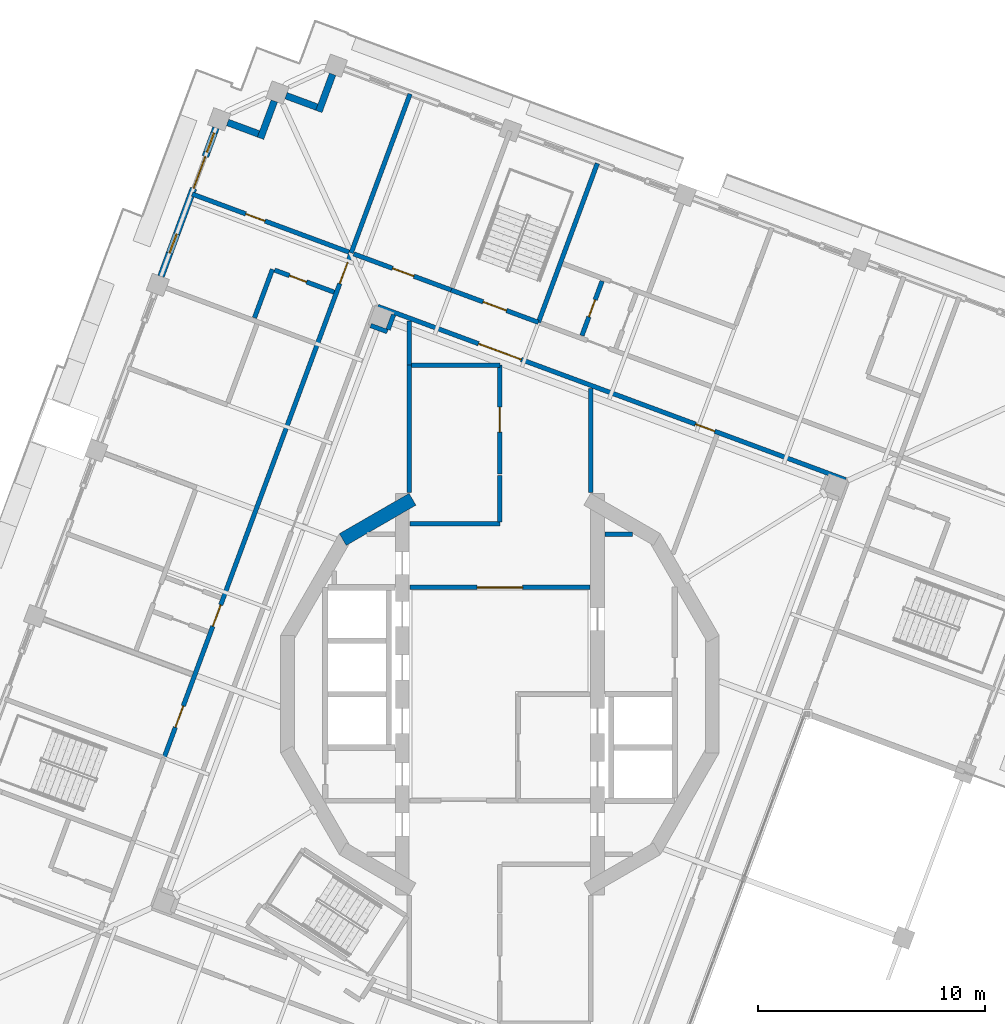
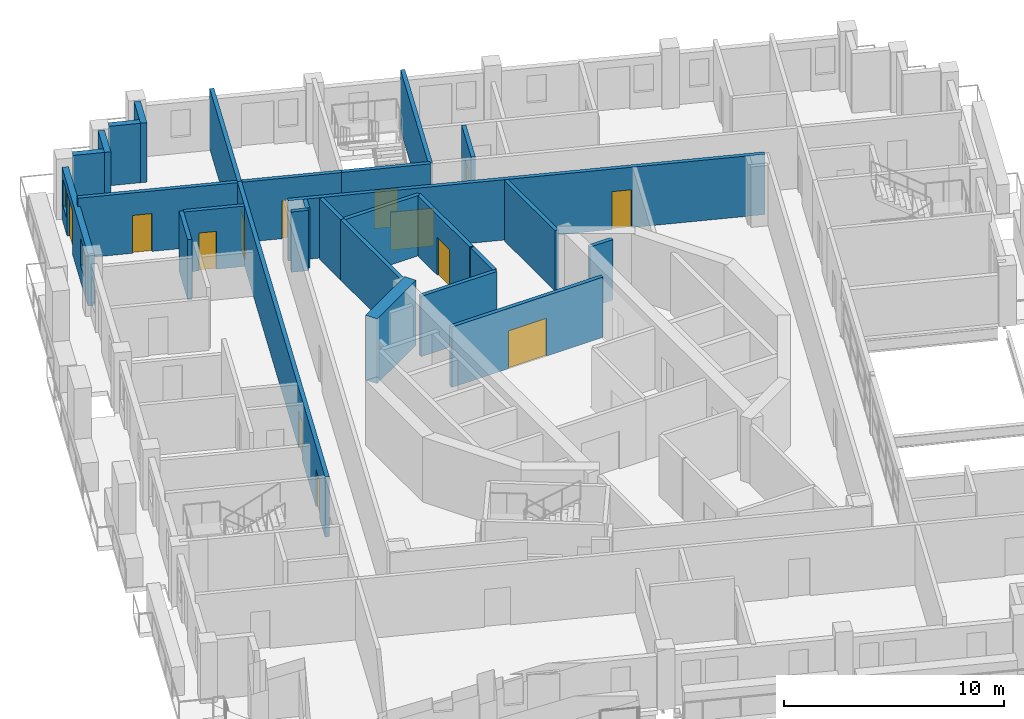
# One storey, part 9 of 19: 27 walls, 13 doors, 2 windows, 15 openings.
"""IFC4 building model written with IfcOpenShell, lengths in metres."""

from ifc_helpers import new_model, si_unit, direction, frame, frame_2d, origin, place, context, subcontext, project, spatial, rectangle, extrude, material, layer, layer_set, type_object, element, fill, save


model = new_model("IFC4")

# Units and contexts
model_context = context("Model", 3, precision=1e-05, world=origin(), true_north=direction((0.0, 1.0)))
body_context = subcontext(model_context, "Body", "Model", "MODEL_VIEW")
ifc_project = project(units=[si_unit("LENGTHUNIT", "METRE"), si_unit("AREAUNIT", "SQUARE_METRE"), si_unit("VOLUMEUNIT", "CUBIC_METRE"), si_unit("PLANEANGLEUNIT", "RADIAN"), si_unit("MASSUNIT", "GRAM", prefix="KILO")], contexts=[model_context])

# Site, building, storey
site_placement = place(None, origin())
site = spatial("IfcSite", under=ifc_project, at=site_placement, CompositionType="ELEMENT")
building_placement = place(site_placement, origin())
building = spatial("IfcBuilding", under=site, at=building_placement, Name="Cantera Rosa Tower", CompositionType="ELEMENT")
storey_placement = place(building_placement, frame((0.0, 0.0, 331.300048828125)))
storey = spatial("IfcBuildingStorey", under=building, at=storey_placement, Name="L74", CompositionType="ELEMENT", Elevation=331.300048828125)

# Wall, openings, doors
ifc_material_1 = material(Name="Gypsum board partition")
ifc_layer_1 = layer(ifc_material_1, 0.199951171875)
ifc_layer_set_1 = layer_set([ifc_layer_1], Name="CORRIDOR WALL 200 H3350")
wall_type_1 = type_object("IfcWallType", Name="CORRIDOR WALL 200 H3350", PredefinedType="PARTITIONING", material=ifc_layer_set_1)
wall_1_placement = place(storey_placement, frame((-6.5537109375, 19.438720703125, 0.0), z_axis=(0.0, 0.0, 1.0), x_axis=(-0.347483565428, -0.937686073138, 0.0)))
wall_1 = element("IfcWall", 1, at=wall_1_placement, inside=storey, type_object=wall_type_1, Name="CORRIDOR WALL L74-036", PredefinedType="PARTITIONING", context=body_context, shape_type="SweptSolid", body=[
    extrude(rectangle(XDim=23.730224609375, YDim=0.199951171875, at=frame_2d((11.865234375, 0.0))), origin(), (0.0, 0.0, 1.0), 3.349853515625),
])
opening_1_placement = place(wall_1_placement, frame((16.5400390625, 0.0, 0.0)))
opening_1 = element("IfcOpeningElement", 2, at=opening_1_placement, cuts=wall_1, Name="Opening L74-028", PredefinedType="OPENING", context=body_context, shape_type="SweptSolid", body=[
    extrude(rectangle(XDim=1.0, YDim=2.10009765625, at=frame_2d((0.5, 1.050048828125))), frame((0.0, 0.10986328125, 0.0), z_axis=(0.0, -1.0, 0.0), x_axis=(1.0, 0.0, 0.0)), (0.0, 0.0, 1.0), 0.219970703125),
])
opening_2_placement = place(wall_1_placement, frame((21.284912109375, 0.0, 0.0)))
opening_2 = element("IfcOpeningElement", 3, at=opening_2_placement, cuts=wall_1, Name="Opening L74-034", PredefinedType="OPENING", context=body_context, shape_type="SweptSolid", body=[
    extrude(rectangle(XDim=1.0, YDim=2.10009765625, at=frame_2d((0.5, 1.050048828125))), frame((0.0, 0.10986328125, 0.0), z_axis=(0.0, -1.0, 0.0), x_axis=(1.0, 0.0, 0.0)), (0.0, 0.0, 1.0), 0.219970703125),
])
opening_3_placement = place(wall_1_placement, frame((0.43994140625, 0.0, 0.0)))
opening_3 = element("IfcOpeningElement", 4, at=opening_3_placement, cuts=wall_1, Name="Opening L74-035", PredefinedType="OPENING", context=body_context, shape_type="SweptSolid", body=[
    extrude(rectangle(XDim=1.0, YDim=2.10009765625, at=frame_2d((0.5, 1.050048828125))), frame((0.0, 0.10986328125, 0.0), z_axis=(0.0, -1.0, 0.0), x_axis=(1.0, 0.0, 0.0)), (0.0, 0.0, 1.0), 0.219970703125),
])
ifc_material_2 = material(Name="Timber door leaf", Category="wood")
door_type_1 = type_object("IfcDoorType", Name="ENTRANCE DOOR 1000x2100", OperationType="NOTDEFINED", PredefinedType="DOOR", material=ifc_material_2)
door_1_placement = place(opening_1_placement, origin())
door_1 = element("IfcDoor", 5, at=door_1_placement, inside=storey, type_object=door_type_1, Name="DOOR L74-028", OperationType="NOTDEFINED", OverallHeight=2.10009765625, OverallWidth=1.0, PredefinedType="DOOR", context=body_context, shape_type="SweptSolid", body=[
    extrude(rectangle(XDim=1.0, YDim=2.10009765625, at=frame_2d((0.5, 1.050048828125))), frame((0.0, 0.02490234375, 0.0), z_axis=(0.0, -1.0, 0.0), x_axis=(1.0, 0.0, 0.0)), (0.0, 0.0, 1.0), 0.050048828125),
])
fill(opening_1, door_1)
door_2_placement = place(opening_3_placement, origin())
door_2 = element("IfcDoor", 6, at=door_2_placement, inside=storey, type_object=door_type_1, Name="DOOR L74-035", OperationType="NOTDEFINED", OverallHeight=2.10009765625, OverallWidth=1.0, PredefinedType="DOOR", context=body_context, shape_type="SweptSolid", body=[
    extrude(rectangle(XDim=1.0, YDim=2.10009765625, at=frame_2d((0.5, 1.050048828125))), frame((0.0, 0.02490234375, 0.0), z_axis=(0.0, -1.0, 0.0), x_axis=(1.0, 0.0, 0.0)), (0.0, 0.0, 1.0), 0.050048828125),
])
fill(opening_3, door_2)
ifc_material_3 = material(Name="Timber door leaf", Category="wood")
door_type_2 = type_object("IfcDoorType", Name="ROOM DOOR 1000x2100", OperationType="NOTDEFINED", PredefinedType="DOOR", material=ifc_material_3)
door_3_placement = place(opening_2_placement, origin())
door_3 = element("IfcDoor", 7, at=door_3_placement, inside=storey, type_object=door_type_2, Name="DOOR L74-034", OperationType="NOTDEFINED", OverallHeight=2.10009765625, OverallWidth=1.0, PredefinedType="DOOR", context=body_context, shape_type="SweptSolid", body=[
    extrude(rectangle(XDim=1.0, YDim=2.10009765625, at=frame_2d((0.5, 1.050048828125))), frame((0.0, 0.02490234375, 0.0), z_axis=(0.0, -1.0, 0.0), x_axis=(1.0, 0.0, 0.0)), (0.0, 0.0, 1.0), 0.050048828125),
])
fill(opening_2, door_3)

# Wall
wall_2_placement = place(storey_placement, frame((-4.0, 16.4326171875, 0.0), z_axis=(0.0, 0.0, 1.0), x_axis=(0.0, -1.0, 0.0)))
element("IfcWall", 8, at=wall_2_placement, inside=storey, type_object=wall_type_1, Name="CORRIDOR WALL L74-054", PredefinedType="PARTITIONING", context=body_context, shape_type="SweptSolid", body=[
    extrude(rectangle(XDim=1.9326171875, YDim=0.199951171875, at=frame_2d((0.96630859375, 0.0))), origin(), (0.0, 0.0, 1.0), 3.349853515625),
])

# Wall, opening, door
wall_3_placement = place(storey_placement, frame((-3.969970703125, 4.699951171875, 0.0), z_axis=(0.0, 0.0, 1.0), x_axis=(1.0, 0.0, 0.0)))
wall_3 = element("IfcWall", 9, at=wall_3_placement, inside=storey, type_object=wall_type_1, Name="CORRIDOR WALL L74-055", PredefinedType="PARTITIONING", context=body_context, shape_type="SweptSolid", body=[
    extrude(rectangle(XDim=7.93994140625, YDim=0.199951171875, at=frame_2d((3.969970703125, 0.0))), origin(), (0.0, 0.0, 1.0), 3.349853515625),
])
opening_4_placement = place(wall_3_placement, frame((2.969970703125, 0.0, 0.0)))
opening_4 = element("IfcOpeningElement", 10, at=opening_4_placement, cuts=wall_3, Name="Opening L74-010", PredefinedType="OPENING", context=body_context, shape_type="SweptSolid", body=[
    extrude(rectangle(XDim=2.0, YDim=2.10009765625, at=frame_2d((1.0, 1.050048828125))), frame((0.0, 0.10986328125, 0.0), z_axis=(0.0, -1.0, 0.0), x_axis=(1.0, 0.0, 0.0)), (0.0, 0.0, 1.0), 0.219970703125),
])
ifc_material_4 = material(Name="Steel S355J2 (EN 10025-2)", Category="steel")
door_type_3 = type_object("IfcDoorType", Name="LOBBY SCREEN DOOR 2000x2100", OperationType="NOTDEFINED", PredefinedType="DOOR", material=ifc_material_4)
door_4_placement = place(opening_4_placement, origin())
door_4 = element("IfcDoor", 11, at=door_4_placement, inside=storey, type_object=door_type_3, Name="DOOR L74-010", OperationType="NOTDEFINED", OverallHeight=2.10009765625, OverallWidth=2.0, PredefinedType="DOOR", context=body_context, shape_type="SweptSolid", body=[
    extrude(rectangle(XDim=2.0, YDim=2.10009765625, at=frame_2d((1.0, 1.050048828125))), frame((0.0, 0.02490234375, 0.0), z_axis=(0.0, -1.0, 0.0), x_axis=(1.0, 0.0, 0.0)), (0.0, 0.0, 1.0), 0.050048828125),
])
fill(opening_4, door_4)

# Wall
wall_4_placement = place(storey_placement, frame((-3.969970703125, 7.5, 0.0), z_axis=(0.0, 0.0, 1.0), x_axis=(1.0, 0.0, 0.0)))
element("IfcWall", 12, at=wall_4_placement, inside=storey, type_object=wall_type_1, Name="CORRIDOR WALL L74-056", PredefinedType="PARTITIONING", context=body_context, shape_type="SweptSolid", body=[
    extrude(rectangle(XDim=3.969970703125, YDim=0.199951171875, at=frame_2d((1.98486328125, 0.0))), origin(), (0.0, 0.0, 1.0), 3.349853515625),
])

# Wall, opening, door
wall_5_placement = place(storey_placement, frame((-2.146728515625, 17.805419921875, 0.0), z_axis=(0.0, 0.0, 1.0), x_axis=(-0.937682514707, 0.347493167721, 0.0)))
wall_5 = element("IfcWall", 13, at=wall_5_placement, inside=storey, type_object=wall_type_1, Name="CORRIDOR WALL L74-060", PredefinedType="PARTITIONING", context=body_context, shape_type="SweptSolid", body=[
    extrude(rectangle(XDim=4.580078125, YDim=0.199951171875, at=frame_2d((2.2900390625, 0.0))), origin(), (0.0, 0.0, 1.0), 3.349853515625),
])
opening_5_placement = place(wall_5_placement, frame((1.75, 0.0, 0.0)))
opening_5 = element("IfcOpeningElement", 14, at=opening_5_placement, cuts=wall_5, Name="Opening L74-027", PredefinedType="OPENING", context=body_context, shape_type="SweptSolid", body=[
    extrude(rectangle(XDim=1.0, YDim=2.10009765625, at=frame_2d((0.5, 1.050048828125))), frame((0.0, 0.10986328125, 0.0), z_axis=(0.0, -1.0, 0.0), x_axis=(1.0, 0.0, 0.0)), (0.0, 0.0, 1.0), 0.219970703125),
])
door_5_placement = place(opening_5_placement, origin())
door_5 = element("IfcDoor", 15, at=door_5_placement, inside=storey, type_object=door_type_2, Name="DOOR L74-027", OperationType="NOTDEFINED", OverallHeight=2.10009765625, OverallWidth=1.0, PredefinedType="DOOR", context=body_context, shape_type="SweptSolid", body=[
    extrude(rectangle(XDim=1.0, YDim=2.10009765625, at=frame_2d((0.5, 1.050048828125))), frame((0.0, 0.02490234375, 0.0), z_axis=(0.0, -1.0, 0.0), x_axis=(1.0, 0.0, 0.0)), (0.0, 0.0, 1.0), 0.050048828125),
])
fill(opening_5, door_5)

# Wall
wall_6_placement = place(storey_placement, frame((0.0, 7.580078125, 0.0), z_axis=(0.0, 0.0, 1.0), x_axis=(0.0, 1.0, 0.0)))
element("IfcWall", 16, at=wall_6_placement, inside=storey, type_object=wall_type_1, Name="CORRIDOR WALL L74-065", PredefinedType="PARTITIONING", context=body_context, shape_type="SweptSolid", body=[
    extrude(rectangle(XDim=2.04931640625, YDim=0.199951171875, at=frame_2d((1.024658203125, 0.0))), origin(), (0.0, 0.0, 1.0), 3.349853515625),
])

# Wall, opening, door
wall_7_placement = place(storey_placement, frame((0.0, 9.689208984375, 0.0), z_axis=(0.0, 0.0, 1.0), x_axis=(0.0, 1.0, 0.0)))
wall_7 = element("IfcWall", 17, at=wall_7_placement, inside=storey, type_object=wall_type_1, Name="CORRIDOR WALL L74-066", PredefinedType="PARTITIONING", context=body_context, shape_type="SweptSolid", body=[
    extrude(rectangle(XDim=4.810791015625, YDim=0.199951171875, at=frame_2d((2.4052734375, 0.0))), origin(), (0.0, 0.0, 1.0), 3.349853515625),
])
opening_6_placement = place(wall_7_placement, frame((1.85546875, 0.0, 0.0)))
opening_6 = element("IfcOpeningElement", 18, at=opening_6_placement, cuts=wall_7, Name="Opening L74-014", PredefinedType="OPENING", context=body_context, shape_type="SweptSolid", body=[
    extrude(rectangle(XDim=1.10009765625, YDim=2.10009765625, at=frame_2d((0.550048828125, 1.050048828125))), frame((0.0, 0.10986328125, 0.0), z_axis=(0.0, -1.0, 0.0), x_axis=(1.0, 0.0, 0.0)), (0.0, 0.0, 1.0), 0.219970703125),
])
ifc_material_5 = material(Name="Timber door leaf", Category="wood")
door_type_4 = type_object("IfcDoorType", Name="ROOM DOOR 1100x2100", OperationType="NOTDEFINED", PredefinedType="DOOR", material=ifc_material_5)
door_6_placement = place(opening_6_placement, origin())
door_6 = element("IfcDoor", 19, at=door_6_placement, inside=storey, type_object=door_type_4, Name="DOOR L74-014", OperationType="NOTDEFINED", OverallHeight=2.10009765625, OverallWidth=1.10009765625, PredefinedType="DOOR", context=body_context, shape_type="SweptSolid", body=[
    extrude(rectangle(XDim=1.10009765625, YDim=2.10009765625, at=frame_2d((0.550048828125, 1.050048828125))), frame((0.0, 0.02490234375, 0.0), z_axis=(0.0, -1.0, 0.0), x_axis=(1.0, 0.0, 0.0)), (0.0, 0.0, 1.0), 0.050048828125),
])
fill(opening_6, door_6)

# Walls
wall_8_placement = place(storey_placement, frame((0.0, 14.5, 0.0), z_axis=(0.0, 0.0, 1.0), x_axis=(-1.0, 0.0, 0.0)))
element("IfcWall", 20, at=wall_8_placement, inside=storey, type_object=wall_type_1, Name="CORRIDOR WALL L74-067", PredefinedType="PARTITIONING", context=body_context, shape_type="SweptSolid", body=[
    extrude(rectangle(XDim=3.89990234375, YDim=0.199951171875, at=frame_2d((1.949951171875, 0.0))), origin(), (0.0, 0.0, 1.0), 3.349853515625),
])
wall_9_placement = place(storey_placement, frame((4.0, 8.87890625, 0.0), z_axis=(0.0, 0.0, 1.0), x_axis=(0.0, 1.0, 0.0)))
element("IfcWall", 21, at=wall_9_placement, inside=storey, type_object=wall_type_1, Name="CORRIDOR WALL L74-079", PredefinedType="PARTITIONING", context=body_context, shape_type="SweptSolid", body=[
    extrude(rectangle(XDim=4.589111328125, YDim=0.199951171875, at=frame_2d((2.29443359375, 0.0))), origin(), (0.0, 0.0, 1.0), 3.349853515625),
])

# Wall, openings, doors
wall_10_placement = place(storey_placement, frame((15.2314453125, 9.446044921875, 0.0), z_axis=(0.0, 0.0, 1.0), x_axis=(-0.93768965935, 0.347473887864, 0.0)))
wall_10 = element("IfcWall", 22, at=wall_10_placement, inside=storey, type_object=wall_type_1, Name="CORRIDOR WALL L74-105", PredefinedType="PARTITIONING", context=body_context, shape_type="SweptSolid", body=[
    extrude(rectangle(XDim=21.97998046875, YDim=0.199951171875, at=frame_2d((10.989990234375, 0.0))), origin(), (0.0, 0.0, 1.0), 3.349853515625),
])
opening_7_placement = place(wall_10_placement, frame((6.14990234375, 0.0, 0.0)))
opening_7 = element("IfcOpeningElement", 23, at=opening_7_placement, cuts=wall_10, Name="Opening L74-008", PredefinedType="OPENING", context=body_context, shape_type="SweptSolid", body=[
    extrude(rectangle(XDim=0.89990234375, YDim=2.10009765625, at=frame_2d((0.449951171875, 1.050048828125))), frame((0.0, 0.10986328125, 0.0), z_axis=(0.0, -1.0, 0.0), x_axis=(1.0, 0.0, 0.0)), (0.0, 0.0, 1.0), 0.219970703125),
])
opening_8_placement = place(wall_10_placement, frame((15.24365234375, 0.0, 0.0)))
opening_8 = element("IfcOpeningElement", 24, at=opening_8_placement, cuts=wall_10, Name="Opening L74-009", PredefinedType="OPENING", context=body_context, shape_type="SweptSolid", body=[
    extrude(rectangle(XDim=2.0, YDim=2.10009765625, at=frame_2d((1.0, 1.050048828125))), frame((0.0, 0.10986328125, 0.0), z_axis=(0.0, -1.0, 0.0), x_axis=(1.0, 0.0, 0.0)), (0.0, 0.0, 1.0), 0.219970703125),
])
door_7_placement = place(opening_8_placement, origin())
door_7 = element("IfcDoor", 25, at=door_7_placement, inside=storey, type_object=door_type_3, Name="DOOR L74-009", OperationType="NOTDEFINED", OverallHeight=2.10009765625, OverallWidth=2.0, PredefinedType="DOOR", context=body_context, shape_type="SweptSolid", body=[
    extrude(rectangle(XDim=2.0, YDim=2.10009765625, at=frame_2d((1.0, 1.050048828125))), frame((0.0, 0.02490234375, 0.0), z_axis=(0.0, -1.0, 0.0), x_axis=(1.0, 0.0, 0.0)), (0.0, 0.0, 1.0), 0.050048828125),
])
fill(opening_8, door_7)
ifc_material_6 = material(Name="Timber door leaf", Category="wood")
door_type_5 = type_object("IfcDoorType", Name="SERVICE DOOR 900x2100", OperationType="NOTDEFINED", PredefinedType="DOOR", material=ifc_material_6)
door_8_placement = place(opening_7_placement, origin())
door_8 = element("IfcDoor", 26, at=door_8_placement, inside=storey, type_object=door_type_5, Name="DOOR L74-008", OperationType="NOTDEFINED", OverallHeight=2.10009765625, OverallWidth=0.89990234375, PredefinedType="DOOR", context=body_context, shape_type="SweptSolid", body=[
    extrude(rectangle(XDim=0.89990234375, YDim=2.10009765625, at=frame_2d((0.449951171875, 1.050048828125))), frame((0.0, 0.02490234375, 0.0), z_axis=(0.0, -1.0, 0.0), x_axis=(1.0, 0.0, 0.0)), (0.0, 0.0, 1.0), 0.050048828125),
])
fill(opening_7, door_8)

# Walls
ifc_material_7 = material(Name="Hollow clay masonry with cantera stone cladding", Category="masonry")
ifc_layer_2 = layer(ifc_material_7, 0.300048828125)
ifc_layer_set_2 = layer_set([ifc_layer_2], Name="EW-LOGGIA 300")
wall_type_2 = type_object("IfcWallType", Name="EW-LOGGIA 300", PredefinedType="SOLIDWALL", material=ifc_layer_set_2)
wall_11_placement = place(storey_placement, frame((-7.36865234375, 27.312255859375, 0.0), z_axis=(0.0, 0.0, 1.0), x_axis=(-0.34752790836, -0.937669639538, 0.0)))
element("IfcWall", 27, at=wall_11_placement, inside=storey, type_object=wall_type_2, Name="EN-L74-W05a", PredefinedType="SOLIDWALL", context=body_context, shape_type="SweptSolid", body=[
    extrude(rectangle(XDim=1.75, YDim=0.300048828125, at=frame_2d((0.875, 0.0))), origin(), (0.0, 0.0, 1.0), 3.300048828125),
])
wall_12_placement = place(storey_placement, frame((-8.065185546875, 25.8642578125, 0.0), z_axis=(0.0, 0.0, 1.0), x_axis=(-0.937671557958, 0.347522732201, 0.0)))
element("IfcWall", 28, at=wall_12_placement, inside=storey, type_object=wall_type_2, Name="EN-L74-W05b", PredefinedType="SOLIDWALL", context=body_context, shape_type="SweptSolid", body=[
    extrude(rectangle(XDim=1.449951171875, YDim=0.300048828125, at=frame_2d((0.72509765625, 0.0))), origin(), (0.0, 0.0, 1.0), 3.300048828125),
])
wall_13_placement = place(storey_placement, frame((-9.93896484375, 26.132080078125, 0.0), z_axis=(0.0, 0.0, 1.0), x_axis=(-0.34748245117, -0.937686486054, 0.0)))
element("IfcWall", 29, at=wall_13_placement, inside=storey, type_object=wall_type_2, Name="EN-L74-W06a", PredefinedType="SOLIDWALL", context=body_context, shape_type="SweptSolid", body=[
    extrude(rectangle(XDim=1.750244140625, YDim=0.300048828125, at=frame_2d((0.875, 0.0))), origin(), (0.0, 0.0, 1.0), 3.300048828125),
])
wall_14_placement = place(storey_placement, frame((-10.635498046875, 24.683837890625, 0.0), z_axis=(0.0, 0.0, 1.0), x_axis=(-0.937671557958, 0.347522732201, 0.0)))
element("IfcWall", 30, at=wall_14_placement, inside=storey, type_object=wall_type_2, Name="EN-L74-W06b", PredefinedType="SOLIDWALL", context=body_context, shape_type="SweptSolid", body=[
    extrude(rectangle(XDim=1.449951171875, YDim=0.300048828125, at=frame_2d((0.72509765625, 0.0))), origin(), (0.0, 0.0, 1.0), 3.300048828125),
])

# Wall, openings, windows, door
ifc_material_8 = material(Name="Hollow clay masonry with cantera stone cladding", Category="masonry")
ifc_layer_3 = layer(ifc_material_8, 0.300048828125)
ifc_layer_set_3 = layer_set([ifc_layer_3], Name="EW-LOGGIA 300 H2890")
wall_type_3 = type_object("IfcWallType", Name="EW-LOGGIA 300 H2890", PredefinedType="SOLIDWALL", material=ifc_layer_set_3)
wall_15_placement = place(storey_placement, frame((-12.50927734375, 24.95166015625, 0.0), z_axis=(0.0, 0.0, 1.0), x_axis=(-0.347490919506, -0.937683347864, 0.0)))
wall_15 = element("IfcWall", 31, at=wall_15_placement, inside=storey, type_object=wall_type_3, Name="EN-L74-W07", PredefinedType="SOLIDWALL", context=body_context, shape_type="SweptSolid", body=[
    extrude(rectangle(XDim=6.980224609375, YDim=0.300048828125, at=frame_2d((3.490234375, 0.0))), origin(), (0.0, 0.0, 1.0), 2.889892578125),
])
opening_9_placement = place(wall_15_placement, frame((0.2451171875, 0.0, 0.89990234375)))
opening_9 = element("IfcOpeningElement", 32, at=opening_9_placement, cuts=wall_15, Name="Opening L74-W13", PredefinedType="OPENING", context=body_context, shape_type="SweptSolid", body=[
    extrude(rectangle(XDim=0.89990234375, YDim=1.5, at=frame_2d((0.449951171875, 0.75))), frame((0.0, 0.159912109375, 0.0), z_axis=(0.0, -1.0, 0.0), x_axis=(1.0, 0.0, 0.0)), (0.0, 0.0, 1.0), 0.320068359375),
])
opening_10_placement = place(wall_15_placement, frame((1.344970703125, 0.0, 0.0)))
opening_10 = element("IfcOpeningElement", 33, at=opening_10_placement, cuts=wall_15, Name="Opening L74-TD14", PredefinedType="OPENING", context=body_context, shape_type="SweptSolid", body=[
    extrude(rectangle(XDim=1.5, YDim=2.39990234375, at=frame_2d((0.75, 1.199951171875))), frame((0.0, 0.159912109375, 0.0), z_axis=(0.0, -1.0, 0.0), x_axis=(1.0, 0.0, 0.0)), (0.0, 0.0, 1.0), 0.320068359375),
])
opening_11_placement = place(wall_15_placement, frame((4.985107421875, 0.0, 0.89990234375)))
opening_11 = element("IfcOpeningElement", 34, at=opening_11_placement, cuts=wall_15, Name="Opening L74-W15", PredefinedType="OPENING", context=body_context, shape_type="SweptSolid", body=[
    extrude(rectangle(XDim=0.89990234375, YDim=1.5, at=frame_2d((0.449951171875, 0.75))), frame((0.0, 0.159912109375, 0.0), z_axis=(0.0, -1.0, 0.0), x_axis=(1.0, 0.0, 0.0)), (0.0, 0.0, 1.0), 0.320068359375),
])
ifc_material_9 = material(Name="Aluminium frame with clear glass", Category="aluminium")
window_type = type_object("IfcWindowType", Name="Residential window 900x1500", PartitioningType="SINGLE_PANEL", PredefinedType="WINDOW", material=ifc_material_9)
window_1_placement = place(opening_9_placement, origin())
window_1 = element("IfcWindow", 35, at=window_1_placement, inside=storey, type_object=window_type, Name="WINDOW L74-W13", OverallHeight=1.5, OverallWidth=0.89990234375, PartitioningType="SINGLE_PANEL", PredefinedType="WINDOW", context=body_context, shape_type="SweptSolid", body=[
    extrude(rectangle(XDim=0.89990234375, YDim=1.5, at=frame_2d((0.449951171875, 0.75))), frame((0.0, 0.030029296875, 0.0), z_axis=(0.0, -1.0, 0.0), x_axis=(1.0, 0.0, 0.0)), (0.0, 0.0, 1.0), 0.06005859375),
])
fill(opening_9, window_1)
window_2_placement = place(opening_11_placement, origin())
window_2 = element("IfcWindow", 36, at=window_2_placement, inside=storey, type_object=window_type, Name="WINDOW L74-W15", OverallHeight=1.5, OverallWidth=0.89990234375, PartitioningType="SINGLE_PANEL", PredefinedType="WINDOW", context=body_context, shape_type="SweptSolid", body=[
    extrude(rectangle(XDim=0.89990234375, YDim=1.5, at=frame_2d((0.449951171875, 0.75))), frame((0.0, 0.030029296875, 0.0), z_axis=(0.0, -1.0, 0.0), x_axis=(1.0, 0.0, 0.0)), (0.0, 0.0, 1.0), 0.06005859375),
])
fill(opening_11, window_2)
ifc_material_10 = material(Name="Aluminium frame with clear glass", Category="aluminium")
door_type_6 = type_object("IfcDoorType", Name="TD-R 1500x2400", OperationType="NOTDEFINED", PredefinedType="DOOR", material=ifc_material_10)
door_9_placement = place(opening_10_placement, origin())
door_9 = element("IfcDoor", 37, at=door_9_placement, inside=storey, type_object=door_type_6, Name="LOGGIA DOOR L74-TD14", OperationType="SLIDING_TO_LEFT", OverallHeight=2.39990234375, OverallWidth=1.5, PredefinedType="DOOR", context=body_context, shape_type="SweptSolid", body=[
    extrude(rectangle(XDim=1.5, YDim=2.39990234375, at=frame_2d((0.75, 1.199951171875))), frame((0.0, 0.02490234375, 0.0), z_axis=(0.0, -1.0, 0.0), x_axis=(1.0, 0.0, 0.0)), (0.0, 0.0, 1.0), 0.050048828125),
])
fill(opening_10, door_9)

# Wall
ifc_material_11 = material(Name="Gypsum board partition")
ifc_layer_4 = layer(ifc_material_11, 0.199951171875)
ifc_layer_set_4 = layer_set([ifc_layer_4], Name="PARTITION 200 H3350")
wall_type_4 = type_object("IfcWallType", Name="PARTITION 200 H3350", PredefinedType="PARTITIONING", material=ifc_layer_set_4)
wall_16_placement = place(storey_placement, frame((-10.8125, 16.580322265625, 0.0), z_axis=(0.0, 0.0, 1.0), x_axis=(0.347471288185, 0.937690622693, 0.0)))
element("IfcWall", 38, at=wall_16_placement, inside=storey, type_object=wall_type_4, Name="PARTITION L74-024", PredefinedType="PARTITIONING", context=body_context, shape_type="SweptSolid", body=[
    extrude(rectangle(XDim=2.280029296875, YDim=0.199951171875, at=frame_2d((1.14013671875, 0.0))), origin(), (0.0, 0.0, 1.0), 3.349853515625),
])

# Wall, opening, door
wall_17_placement = place(storey_placement, frame((-9.926513671875, 18.68359375, 0.0), z_axis=(0.0, 0.0, 1.0), x_axis=(0.937673016978, -0.347518795507, 0.0)))
wall_17 = element("IfcWall", 39, at=wall_17_placement, inside=storey, type_object=wall_type_4, Name="PARTITION L74-027", PredefinedType="PARTITIONING", context=body_context, shape_type="SweptSolid", body=[
    extrude(rectangle(XDim=2.80029296875, YDim=0.199951171875, at=frame_2d((1.400146484375, 0.0))), origin(), (0.0, 0.0, 1.0), 3.349853515625),
])
opening_12_placement = place(wall_17_placement, frame((0.699951171875, 0.0, 0.0)))
opening_12 = element("IfcOpeningElement", 40, at=opening_12_placement, cuts=wall_17, Name="Opening L74-036", PredefinedType="OPENING", context=body_context, shape_type="SweptSolid", body=[
    extrude(rectangle(XDim=0.800048828125, YDim=2.10009765625, at=frame_2d((0.39990234375, 1.050048828125))), frame((0.0, 0.10986328125, 0.0), z_axis=(0.0, -1.0, 0.0), x_axis=(1.0, 0.0, 0.0)), (0.0, 0.0, 1.0), 0.219970703125),
])
ifc_material_12 = material(Name="Timber door leaf", Category="wood")
door_type_7 = type_object("IfcDoorType", Name="BATHROOM DOOR 800x2100", OperationType="NOTDEFINED", PredefinedType="DOOR", material=ifc_material_12)
door_10_placement = place(opening_12_placement, origin())
door_10 = element("IfcDoor", 41, at=door_10_placement, inside=storey, type_object=door_type_7, Name="DOOR L74-036", OperationType="NOTDEFINED", OverallHeight=2.10009765625, OverallWidth=0.800048828125, PredefinedType="DOOR", context=body_context, shape_type="SweptSolid", body=[
    extrude(rectangle(XDim=0.800048828125, YDim=2.10009765625, at=frame_2d((0.39990234375, 1.050048828125))), frame((0.0, 0.02490234375, 0.0), z_axis=(0.0, -1.0, 0.0), x_axis=(1.0, 0.0, 0.0)), (0.0, 0.0, 1.0), 0.050048828125),
])
fill(opening_12, door_10)

wall_18_placement = place(storey_placement, frame((-6.647705078125, 19.473388671875, 0.0), z_axis=(0.0, 0.0, 1.0), x_axis=(-0.937691605032, 0.347468637221, 0.0)))
wall_18 = element("IfcWall", 42, at=wall_18_placement, inside=storey, type_object=wall_type_4, Name="PARTITION L74-037", PredefinedType="PARTITIONING", context=body_context, shape_type="SweptSolid", body=[
    extrude(rectangle(XDim=7.369873046875, YDim=0.199951171875, at=frame_2d((3.68505859375, 0.0))), origin(), (0.0, 0.0, 1.0), 3.349853515625),
])
opening_13_placement = place(wall_18_placement, frame((3.949951171875, 0.0, 0.0)))
opening_13 = element("IfcOpeningElement", 43, at=opening_13_placement, cuts=wall_18, Name="Opening L74-037", PredefinedType="OPENING", context=body_context, shape_type="SweptSolid", body=[
    extrude(rectangle(XDim=0.89990234375, YDim=2.10009765625, at=frame_2d((0.449951171875, 1.050048828125))), frame((0.0, 0.10986328125, 0.0), z_axis=(0.0, -1.0, 0.0), x_axis=(1.0, 0.0, 0.0)), (0.0, 0.0, 1.0), 0.219970703125),
])
ifc_material_13 = material(Name="Timber door leaf", Category="wood")
door_type_8 = type_object("IfcDoorType", Name="ROOM DOOR 900x2100", OperationType="NOTDEFINED", PredefinedType="DOOR", material=ifc_material_13)
door_11_placement = place(opening_13_placement, origin())
door_11 = element("IfcDoor", 44, at=door_11_placement, inside=storey, type_object=door_type_8, Name="DOOR L74-037", OperationType="NOTDEFINED", OverallHeight=2.10009765625, OverallWidth=0.89990234375, PredefinedType="DOOR", context=body_context, shape_type="SweptSolid", body=[
    extrude(rectangle(XDim=0.89990234375, YDim=2.10009765625, at=frame_2d((0.449951171875, 1.050048828125))), frame((0.0, 0.02490234375, 0.0), z_axis=(0.0, -1.0, 0.0), x_axis=(1.0, 0.0, 0.0)), (0.0, 0.0, 1.0), 0.050048828125),
])
fill(opening_13, door_11)

# Walls
wall_19_placement = place(storey_placement, frame((-5.691650390625, 16.23974609375, 0.0), z_axis=(0.0, 0.0, 1.0), x_axis=(0.93771100034, -0.347416291848, 0.0)))
element("IfcWall", 45, at=wall_19_placement, inside=storey, type_object=wall_type_4, Name="PARTITION L74-041", PredefinedType="PARTITIONING", context=body_context, shape_type="SweptSolid", body=[
    extrude(rectangle(XDim=0.780029296875, YDim=0.199951171875, at=frame_2d((0.39013671875, 0.0))), origin(), (0.0, 0.0, 1.0), 3.349853515625),
])
wall_20_placement = place(storey_placement, frame((-4.925537109375, 16.0625, 0.0), z_axis=(0.0, 0.0, 1.0), x_axis=(0.347450692477, 0.937698254396, 0.0)))
element("IfcWall", 46, at=wall_20_placement, inside=storey, type_object=wall_type_4, Name="PARTITION L74-046", PredefinedType="PARTITIONING", context=body_context, shape_type="SweptSolid", body=[
    extrude(rectangle(XDim=0.699951171875, YDim=0.199951171875, at=frame_2d((0.35009765625, 0.0))), origin(), (0.0, 0.0, 1.0), 3.349853515625),
])
wall_21_placement = place(storey_placement, frame((-4.0, 14.5, 0.0), z_axis=(0.0, 0.0, 1.0), x_axis=(0.0, -1.0, 0.0)))
element("IfcWall", 47, at=wall_21_placement, inside=storey, type_object=wall_type_4, Name="PARTITION L74-053", PredefinedType="PARTITIONING", context=body_context, shape_type="SweptSolid", body=[
    extrude(rectangle(XDim=5.62109375, YDim=0.199951171875, at=frame_2d((2.810546875, 0.0))), origin(), (0.0, 0.0, 1.0), 3.349853515625),
])

# Wall, opening, door
wall_22_placement = place(storey_placement, frame((4.50439453125, 18.19873046875, 0.0), z_axis=(0.0, 0.0, 1.0), x_axis=(-0.347441707582, -0.937701583571, 0.0)))
wall_22 = element("IfcWall", 48, at=wall_22_placement, inside=storey, type_object=wall_type_4, Name="PARTITION L74-080", PredefinedType="PARTITIONING", context=body_context, shape_type="SweptSolid", body=[
    extrude(rectangle(XDim=2.559814453125, YDim=0.199951171875, at=frame_2d((1.27978515625, 0.0))), origin(), (0.0, 0.0, 1.0), 3.349853515625),
])
opening_14_placement = place(wall_22_placement, frame((0.8798828125, 0.0, 0.0)))
opening_14 = element("IfcOpeningElement", 49, at=opening_14_placement, cuts=wall_22, Name="Opening L74-022", PredefinedType="OPENING", context=body_context, shape_type="SweptSolid", body=[
    extrude(rectangle(XDim=0.800048828125, YDim=2.10009765625, at=frame_2d((0.39990234375, 1.050048828125))), frame((0.0, 0.10986328125, 0.0), z_axis=(0.0, -1.0, 0.0), x_axis=(1.0, 0.0, 0.0)), (0.0, 0.0, 1.0), 0.219970703125),
])
door_12_placement = place(opening_14_placement, origin())
door_12 = element("IfcDoor", 50, at=door_12_placement, inside=storey, type_object=door_type_7, Name="DOOR L74-022", OperationType="NOTDEFINED", OverallHeight=2.10009765625, OverallWidth=0.800048828125, PredefinedType="DOOR", context=body_context, shape_type="SweptSolid", body=[
    extrude(rectangle(XDim=0.800048828125, YDim=2.10009765625, at=frame_2d((0.39990234375, 1.050048828125))), frame((0.0, 0.02490234375, 0.0), z_axis=(0.0, -1.0, 0.0), x_axis=(1.0, 0.0, 0.0)), (0.0, 0.0, 1.0), 0.050048828125),
])
fill(opening_14, door_12)

# Walls
wall_23_placement = place(storey_placement, frame((4.6298828125, 7.050048828125, 0.0), z_axis=(0.0, 0.0, 1.0), x_axis=(1.0, 0.0, 0.0)))
element("IfcWall", 51, at=wall_23_placement, inside=storey, type_object=wall_type_4, Name="PARTITION L74-082", PredefinedType="PARTITIONING", context=body_context, shape_type="SweptSolid", body=[
    extrude(rectangle(XDim=1.2177734375, YDim=0.199951171875, at=frame_2d((0.60888671875, 0.0))), origin(), (0.0, 0.0, 1.0), 3.349853515625),
])
ifc_material_14 = material(Name="Gypsum board partition")
ifc_layer_5 = layer(ifc_material_14, 0.199951171875)
ifc_layer_set_5 = layer_set([ifc_layer_5], Name="PARTY WALL 200 H3350")
wall_type_5 = type_object("IfcWallType", Name="PARTY WALL 200 H3350", PredefinedType="PARTITIONING", material=ifc_layer_set_5)
wall_24_placement = place(storey_placement, frame((-6.5537109375, 19.438720703125, 0.0), z_axis=(0.0, 0.0, 1.0), x_axis=(0.347460186276, 0.93769473655, 0.0)))
element("IfcWall", 52, at=wall_24_placement, inside=storey, type_object=wall_type_5, Name="PARTY WALL L74-038", PredefinedType="PARTITIONING", context=body_context, shape_type="SweptSolid", body=[
    extrude(rectangle(XDim=7.4697265625, YDim=0.199951171875, at=frame_2d((3.73486328125, 0.0))), origin(), (0.0, 0.0, 1.0), 3.349853515625),
])
ifc_material_15 = material(Name="Concrete C50/60", Category="concrete")
ifc_layer_6 = layer(ifc_material_15, 0.60009765625)
ifc_layer_set_6 = layer_set([ifc_layer_6], Name="RC CORE WALL 600 C50/60")
wall_type_6 = type_object("IfcWallType", Name="RC CORE WALL 600 C50/60", PredefinedType="SHEAR", material=ifc_layer_set_6)
wall_25_placement = place(storey_placement, frame((-6.921142578125, 6.811279296875, 0.0), z_axis=(0.0, 0.0, 1.0), x_axis=(0.866039982607, 0.499974747889, 0.0)))
element("IfcWall", 53, at=wall_25_placement, inside=storey, type_object=wall_type_6, Name="CW-W5 L74", PredefinedType="SHEAR", context=body_context, shape_type="SweptSolid", body=[
    extrude(rectangle(XDim=3.546142578125, YDim=0.60009765625, at=frame_2d((1.77294921875, 0.0))), origin(), (0.0, 0.0, 1.0), 3.599853515625),
])

# Wall, opening, door
ifc_material_16 = material(Name="Concrete C50/60", Category="concrete")
ifc_layer_7 = layer(ifc_material_16, 0.199951171875)
ifc_layer_set_7 = layer_set([ifc_layer_7], Name="STAIR WALL 200 H3350")
wall_type_7 = type_object("IfcWallType", Name="STAIR WALL 200 H3350", PredefinedType="SOLIDWALL", material=ifc_layer_set_7)
wall_26_placement = place(storey_placement, frame((-2.146728515625, 17.805419921875, 0.0), z_axis=(0.0, 0.0, 1.0), x_axis=(0.937694876531, -0.347459808507, 0.0)))
wall_26 = element("IfcWall", 54, at=wall_26_placement, inside=storey, type_object=wall_type_7, Name="STAIR WALL L74-061", PredefinedType="SOLIDWALL", context=body_context, shape_type="SweptSolid", body=[
    extrude(rectangle(XDim=4.099853515625, YDim=0.199951171875, at=frame_2d((2.0498046875, 0.0))), origin(), (0.0, 0.0, 1.0), 3.349853515625),
])
opening_15_placement = place(wall_26_placement, frame((1.5, 0.0, 0.0)))
opening_15 = element("IfcOpeningElement", 55, at=opening_15_placement, cuts=wall_26, Name="Opening L74-002", PredefinedType="OPENING", context=body_context, shape_type="SweptSolid", body=[
    extrude(rectangle(XDim=1.10009765625, YDim=2.10009765625, at=frame_2d((0.550048828125, 1.050048828125))), frame((0.0, 0.10986328125, 0.0), z_axis=(0.0, -1.0, 0.0), x_axis=(1.0, 0.0, 0.0)), (0.0, 0.0, 1.0), 0.219970703125),
])
ifc_material_17 = material(Name="Steel S355J2 (EN 10025-2)", Category="steel")
door_type_9 = type_object("IfcDoorType", Name="STAIR DOOR 1100x2100", OperationType="NOTDEFINED", PredefinedType="DOOR", material=ifc_material_17)
door_13_placement = place(opening_15_placement, origin())
door_13 = element("IfcDoor", 56, at=door_13_placement, inside=storey, type_object=door_type_9, Name="DOOR L74-002", OperationType="NOTDEFINED", OverallHeight=2.10009765625, OverallWidth=1.10009765625, PredefinedType="DOOR", context=body_context, shape_type="SweptSolid", body=[
    extrude(rectangle(XDim=1.10009765625, YDim=2.10009765625, at=frame_2d((0.550048828125, 1.050048828125))), frame((0.0, 0.02490234375, 0.0), z_axis=(0.0, -1.0, 0.0), x_axis=(1.0, 0.0, 0.0)), (0.0, 0.0, 1.0), 0.050048828125),
])
fill(opening_15, door_13)

# Wall
wall_27_placement = place(storey_placement, frame((1.69775390625, 16.380859375, 0.0), z_axis=(0.0, 0.0, 1.0), x_axis=(0.347488923611, 0.937684087509, 0.0)))
element("IfcWall", 57, at=wall_27_placement, inside=storey, type_object=wall_type_7, Name="STAIR WALL L74-072", PredefinedType="SOLIDWALL", context=body_context, shape_type="SweptSolid", body=[
    extrude(rectangle(XDim=7.469970703125, YDim=0.199951171875, at=frame_2d((3.73486328125, 0.0))), origin(), (0.0, 0.0, 1.0), 3.349853515625),
])

save(model, "model.ifc")
